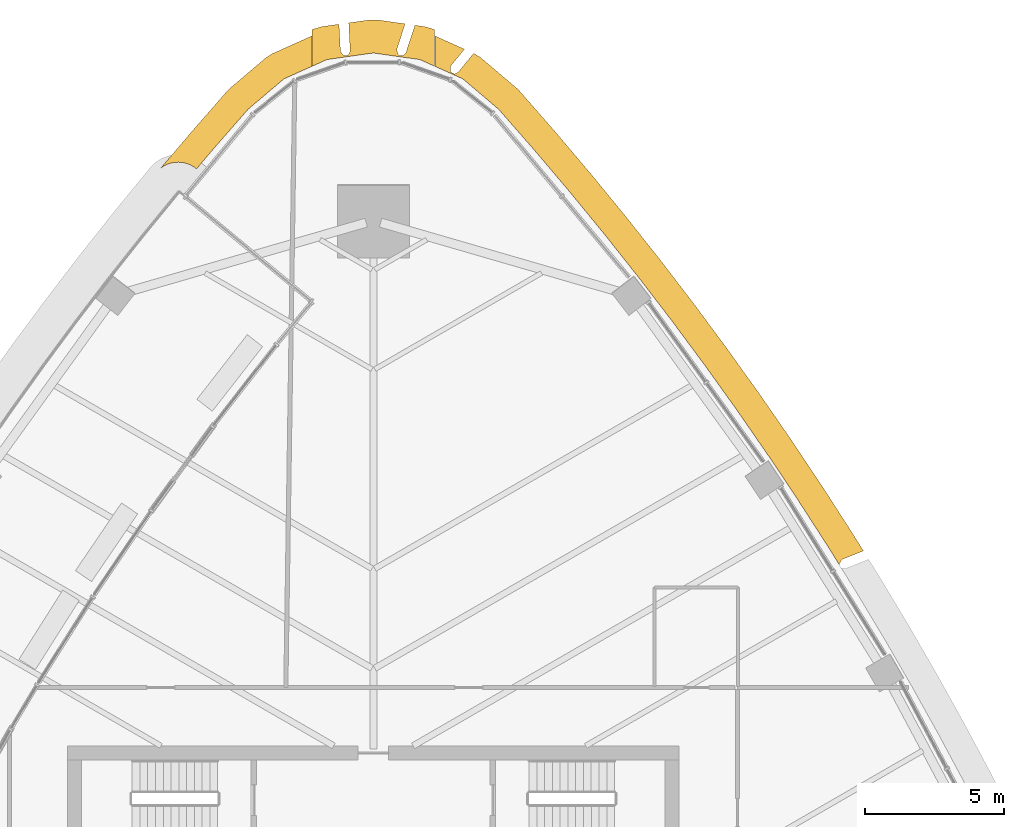
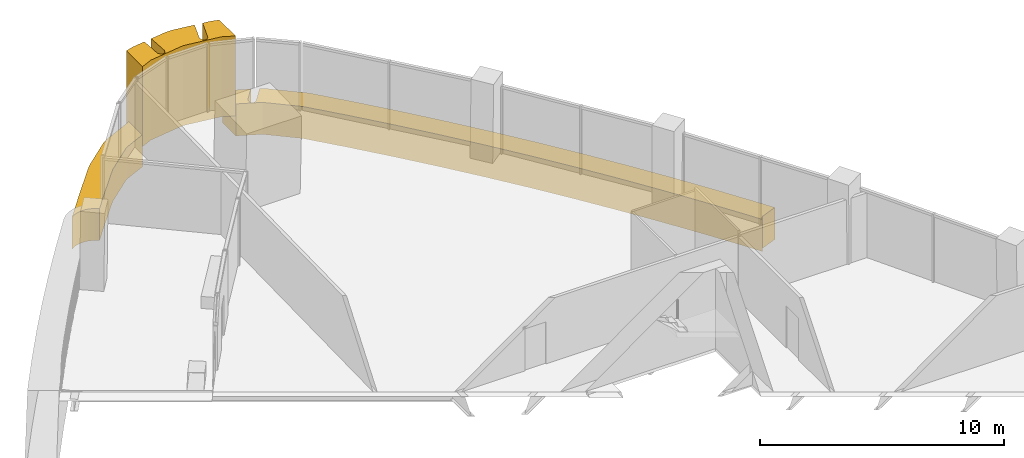
# One storey, part 17 of 18: 3 coverings.
"""IFC4 building model written with IfcOpenShell, lengths in metres."""

from ifc_helpers import new_model, si_unit, direction, frame, origin, place, context, subcontext, project, spatial, polyline, outline, extrude, material, layer, layer_set, type_object, element, save


model = new_model("IFC4")

# Units and contexts
model_context = context("Model", 3, precision=1e-05, world=origin(), true_north=direction((0.0, 1.0)))
body_context = subcontext(model_context, "Body", "Model", "MODEL_VIEW")
ifc_project = project(units=[si_unit("LENGTHUNIT", "METRE"), si_unit("AREAUNIT", "SQUARE_METRE"), si_unit("VOLUMEUNIT", "CUBIC_METRE"), si_unit("PLANEANGLEUNIT", "RADIAN"), si_unit("MASSUNIT", "GRAM", prefix="KILO")], contexts=[model_context])

# Site, building, storey
site_placement = place(None, origin())
site = spatial("IfcSite", under=ifc_project, at=site_placement, CompositionType="ELEMENT")
building_placement = place(site_placement, origin())
building = spatial("IfcBuilding", under=site, at=building_placement, Name="Sierra Prisma Convention Tower", CompositionType="ELEMENT")
storey_placement = place(building_placement, frame((0.0, 0.0, 189.800048828125)))
storey = spatial("IfcBuildingStorey", under=building, at=storey_placement, Name="L42", CompositionType="ELEMENT", Elevation=189.800048828125)

# Coverings
ifc_material_1 = material(Name="Aluminium composite bronze anodised", Category="aluminium")
ifc_layer_1 = layer(ifc_material_1, 1.199951171875)
ifc_layer_set_1 = layer_set([ifc_layer_1], Name="Bronze corner pier")
covering_type_1 = type_object("IfcCoveringType", Name="Bronze corner pier", PredefinedType="CLADDING", material=ifc_layer_set_1)
covering_1_placement = place(storey_placement, frame((0.0, 0.0, -0.60009765625)))
element("IfcCovering", 1, at=covering_1_placement, inside=storey, type_object=covering_type_1, Name="Corner pier N L42.1", PredefinedType="CLADDING", context=body_context, shape_type="SweptSolid", body=[
    extrude(outline(polyline([(-2.199951171875, 32.45849609375), (-2.199951171875, 33.77392578125), (-2.16552734375, 33.789306640625), (-1.84228515625, 33.8828125), (-1.23681640625, 33.968505859375), (-1.184814453125, 33.00146484375), (-1.184326171875, 32.996337890625), (-1.183349609375, 32.991455078125), (-1.181884765625, 32.986572265625), (-1.179931640625, 32.98193359375), (-1.177490234375, 32.9775390625), (-1.174560546875, 32.973388671875), (-1.08251953125, 32.854248046875), (-1.079345703125, 32.8505859375), (-1.075927734375, 32.847412109375), (-1.072021484375, 32.84423828125), (-1.068115234375, 32.841796875), (-1.06396484375, 32.839599609375), (-1.059326171875, 32.837646484375), (-1.054931640625, 32.836181640625), (-1.05029296875, 32.83544921875), (-1.04541015625, 32.8349609375), (-1.04052734375, 32.8349609375), (-1.035888671875, 32.83544921875), (-0.936767578125, 32.849365234375), (-0.93212890625, 32.850341796875), (-0.927490234375, 32.851806640625), (-0.9228515625, 32.853515625), (-0.918701171875, 32.855712890625), (-0.91455078125, 32.8583984375), (-0.91064453125, 32.861328125), (-0.9072265625, 32.86474609375), (-0.904052734375, 32.868408203125), (-0.9013671875, 32.87255859375), (-0.89892578125, 32.876708984375), (-0.840576171875, 32.9951171875), (-0.83837890625, 33.0), (-0.8369140625, 33.0048828125), (-0.8359375, 33.009765625), (-0.83544921875, 33.014892578125), (-0.83544921875, 33.02001953125), (-0.888916015625, 34.017822265625), (-0.168212890625, 34.1201171875), (0.168212890625, 34.1201171875), (1.142822265625, 33.98193359375), (0.84375, 33.06494140625), (0.842529296875, 33.060546875), (0.841796875, 33.055908203125), (0.84130859375, 33.05126953125), (0.84130859375, 33.046630859375), (0.841796875, 33.0419921875), (0.8427734375, 33.037353515625), (0.843994140625, 33.032958984375), (0.896484375, 32.88232421875), (0.8984375, 32.877685546875), (0.90087890625, 32.873291015625), (0.903564453125, 32.869384765625), (0.90673828125, 32.865478515625), (0.91015625, 32.86181640625), (0.9140625, 32.858642578125), (0.918212890625, 32.85595703125), (0.922607421875, 32.853515625), (0.92724609375, 32.851806640625), (0.931884765625, 32.850341796875), (0.936767578125, 32.849365234375), (1.035888671875, 32.83544921875), (1.041015625, 32.8349609375), (1.046142578125, 32.8349609375), (1.05126953125, 32.835693359375), (1.056396484375, 32.836669921875), (1.061279296875, 32.83837890625), (1.06591796875, 32.840576171875), (1.0703125, 32.84326171875), (1.07470703125, 32.84619140625), (1.078369140625, 32.849609375), (1.16455078125, 32.936767578125), (1.167724609375, 32.940185546875), (1.17041015625, 32.944091796875), (1.1728515625, 32.947998046875), (1.1748046875, 32.9521484375), (1.176513671875, 32.956298828125), (1.49462890625, 33.93212890625), (1.84228515625, 33.8828125), (2.16552734375, 33.789306640625), (2.199951171875, 33.77392578125), (2.199951171875, 32.45849609375), (1.674072265625, 32.694580078125), (0.0, 32.931884765625), (-1.674072265625, 32.694580078125), (-2.199951171875, 32.45849609375)])), origin(), (0.0, 0.0, 1.0), 4.0),
])
ifc_material_2 = material(Name="Aluminium composite bronze anodised", Category="aluminium")
ifc_layer_2 = layer(ifc_material_2, 1.0)
ifc_layer_set_2 = layer_set([ifc_layer_2], Name="Bronze spandrel band")
covering_type_2 = type_object("IfcCoveringType", Name="Bronze spandrel band", PredefinedType="CLADDING", material=ifc_layer_set_2)
covering_2_placement = place(storey_placement, frame((0.0, 0.0, -1.60009765625)))
element("IfcCovering", 2, at=covering_2_placement, inside=storey, type_object=covering_type_2, Name="Spandrel band L42.1", PredefinedType="CLADDING", context=body_context, shape_type="SweptSolid", body=[
    extrude(outline(polyline([(-6.56884765625, 30.068115234375), (-6.558349609375, 30.08056640625), (-5.25830078125, 31.56689453125), (-5.15234375, 31.67138671875), (-3.863037109375, 32.764892578125), (-3.6259765625, 32.914306640625), (-2.2099609375, 33.55029296875), (-2.2099609375, 32.4541015625), (-3.21630859375, 32.002197265625), (-4.505615234375, 30.90869140625), (-5.8056640625, 29.422119140625), (-6.364990234375, 28.760986328125), (-6.372314453125, 28.766845703125), (-6.451904296875, 28.82666015625), (-6.536865234375, 28.87841796875), (-6.62646484375, 28.921630859375), (-6.719970703125, 28.955810546875), (-6.816162109375, 28.98095703125), (-6.91455078125, 28.996337890625), (-7.013916015625, 29.002197265625), (-7.11328125, 28.998291015625), (-7.2119140625, 28.98486328125), (-7.30859375, 28.9619140625), (-7.40283203125, 28.929443359375), (-7.493408203125, 28.887939453125), (-7.579345703125, 28.837890625), (-7.657958984375, 28.78125), (-6.56884765625, 30.068115234375)])), origin(), (0.0, 0.0, 1.0), 1.60009765625),
])
covering_3_placement = place(storey_placement, frame((0.0, 0.0, -1.60009765625)))
element("IfcCovering", 3, at=covering_3_placement, inside=storey, type_object=covering_type_2, Name="Spandrel band L42.3", PredefinedType="CLADDING", context=body_context, shape_type="SweptSolid", body=[
    extrude(outline(polyline([(2.786865234375, 32.46923828125), (2.7841796875, 32.46484375), (2.7822265625, 32.46044921875), (2.780517578125, 32.455810546875), (2.779296875, 32.450927734375), (2.77880859375, 32.44580078125), (2.778564453125, 32.44091796875), (2.780517578125, 32.27294921875), (2.781005859375, 32.268310546875), (2.781494140625, 32.263671875), (2.78271484375, 32.259033203125), (2.784423828125, 32.254638671875), (2.786376953125, 32.250244140625), (2.788818359375, 32.24609375), (2.79150390625, 32.242431640625), (2.794677734375, 32.23876953125), (2.798095703125, 32.235595703125), (2.802001953125, 32.232666015625), (2.805908203125, 32.230224609375), (2.81005859375, 32.22802734375), (2.9013671875, 32.18701171875), (2.906005859375, 32.185302734375), (2.91064453125, 32.183837890625), (2.91552734375, 32.18310546875), (2.920654296875, 32.1826171875), (2.925537109375, 32.182861328125), (2.930419921875, 32.183349609375), (2.935302734375, 32.1845703125), (2.93994140625, 32.18603515625), (2.944580078125, 32.18798828125), (3.044921875, 32.239013671875), (3.04931640625, 32.24169921875), (3.0537109375, 32.24462890625), (3.0576171875, 32.248291015625), (3.06103515625, 32.252197265625), (3.607666015625, 32.922607421875), (3.6259765625, 32.914306640625), (3.863037109375, 32.764892578125), (5.15234375, 31.67138671875), (5.25830078125, 31.56689453125), (6.558349609375, 30.08056640625), (6.56884765625, 30.068115234375), (7.844482421875, 28.560791015625), (7.85498046875, 28.54833984375), (9.10595703125, 27.0205078125), (9.1162109375, 27.0078125), (10.342041015625, 25.459716796875), (10.35205078125, 25.447021484375), (11.552734375, 23.879150390625), (11.5625, 23.8662109375), (12.73779296875, 22.279052734375), (12.747314453125, 22.265869140625), (13.896240234375, 20.659912109375), (13.90576171875, 20.646728515625), (15.028564453125, 19.022216796875), (15.03759765625, 19.0087890625), (16.134033203125, 17.366455078125), (16.142822265625, 17.352783203125), (17.21240234375, 15.69287109375), (17.22119140625, 15.67919921875), (17.63427734375, 15.014404296875), (16.876953125, 14.710693359375), (16.872802734375, 14.708740234375), (16.86865234375, 14.706298828125), (16.86474609375, 14.70361328125), (16.861328125, 14.70068359375), (16.858154296875, 14.697509765625), (16.855224609375, 14.69384765625), (16.8525390625, 14.68994140625), (16.770751953125, 14.552978515625), (16.7685546875, 14.548583984375), (16.7666015625, 14.5439453125), (16.76513671875, 14.539306640625), (16.76416015625, 14.534423828125), (16.763916015625, 14.529296875), (16.763916015625, 14.5244140625), (16.764404296875, 14.519775390625), (16.371826171875, 15.1513671875), (15.30224609375, 16.811279296875), (14.2060546875, 18.45361328125), (13.0830078125, 20.078125), (11.93408203125, 21.68408203125), (10.7587890625, 23.27099609375), (9.55810546875, 24.8388671875), (8.332275390625, 26.386962890625), (7.081298828125, 27.914794921875), (5.8056640625, 29.422119140625), (4.505615234375, 30.90869140625), (3.21630859375, 32.002197265625), (2.2099609375, 32.4541015625), (2.2099609375, 33.55029296875), (3.277099609375, 33.071044921875), (2.789794921875, 32.47314453125), (2.786865234375, 32.46923828125)])), origin(), (0.0, 0.0, 1.0), 1.60009765625),
])

save(model, "model.ifc")
